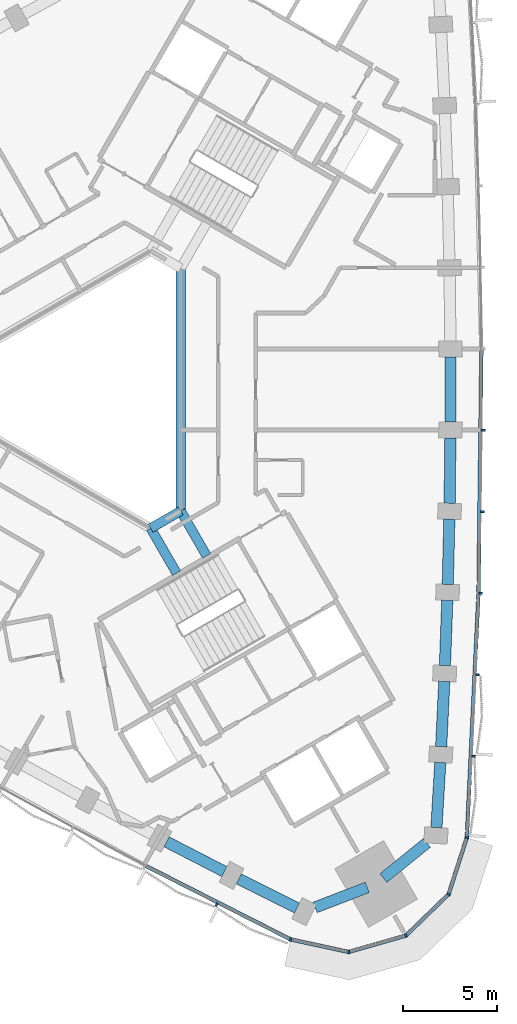
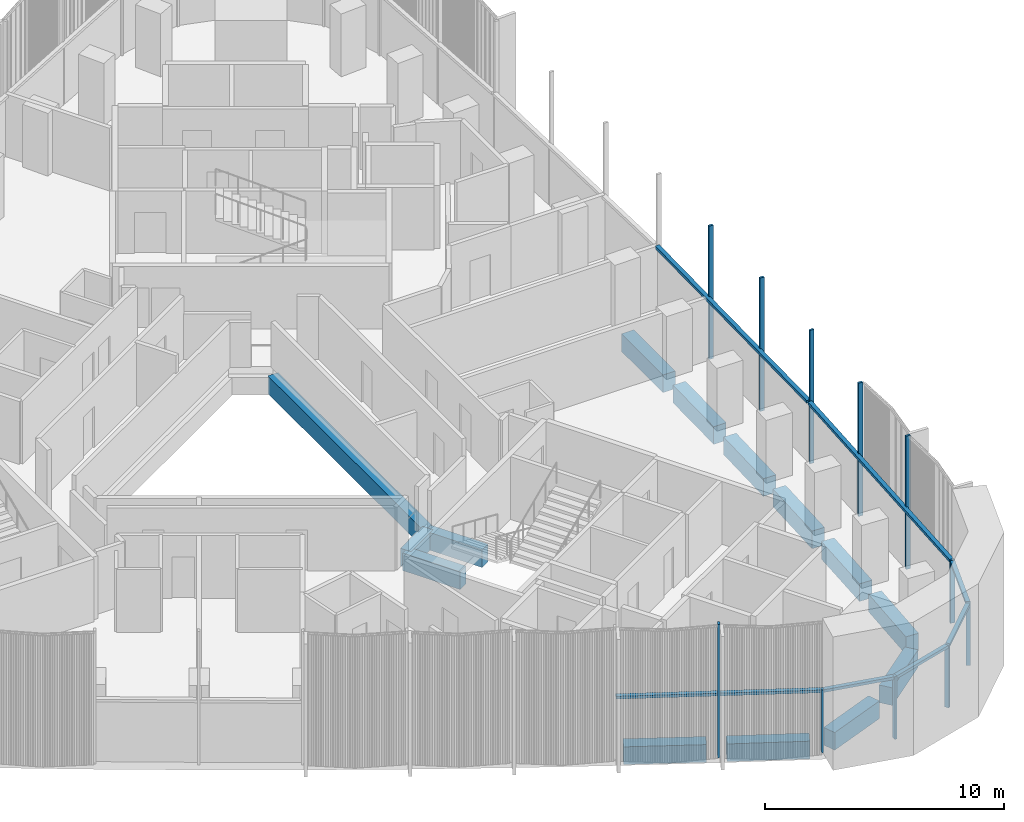
# One storey, part 3 of 15: 18 members, 14 beams, 2 elements without a shape of their own.
"""IFC4 building model written with IfcOpenShell, lengths in metres."""

from ifc_helpers import new_model, si_unit, direction, frame, origin, origin_2d, place, context, subcontext, project, spatial, rectangle, extrude, material, material_profile, profile_set, type_object, element, aggregate, save


model = new_model("IFC4")

# Units and contexts
model_context = context("Model", 3, precision=1e-05, world=origin(), true_north=direction((0.0, 1.0)))
body_context = subcontext(model_context, "Body", "Model", "MODEL_VIEW")
ifc_project = project(units=[si_unit("LENGTHUNIT", "METRE"), si_unit("AREAUNIT", "SQUARE_METRE"), si_unit("VOLUMEUNIT", "CUBIC_METRE"), si_unit("PLANEANGLEUNIT", "RADIAN"), si_unit("MASSUNIT", "GRAM", prefix="KILO")], contexts=[model_context])

# Site, building, storey
site_placement = place(None, origin())
site = spatial("IfcSite", under=ifc_project, at=site_placement, CompositionType="ELEMENT")
building_placement = place(site_placement, origin())
building = spatial("IfcBuilding", under=site, at=building_placement, Name="Tamra Quay Hotel Tower", CompositionType="ELEMENT")
storey_placement = place(building_placement, frame((0.0, 0.0, 128.800048828125)))
storey = spatial("IfcBuildingStorey", under=building, at=storey_placement, Name="L31", CompositionType="ELEMENT", Elevation=128.800048828125)

# Beams
ifc_material_1 = material(Name="Concrete M60", Category="concrete")
ifc_material_profile_1 = material_profile(ifc_material_1, rectangle(XDim=0.5, YDim=0.89990234375, at=origin_2d()), Name="ATRIUM EDGE BEAM RC 500x900")
ifc_profile_set_1 = profile_set([ifc_material_profile_1], Name="Concrete M60")
beam_type_1 = type_object("IfcBeamType", Name="ATRIUM EDGE BEAM RC 500x900", PredefinedType="BEAM", material=ifc_profile_set_1)
beam_1_placement = place(storey_placement, frame((4.800048828125, 6.46630859375, -0.85009765625), z_axis=(0.0, -1.0, 0.0), x_axis=(1.0, 0.0, 0.0)))
element("IfcBeam", 1, at=beam_1_placement, inside=storey, type_object=beam_type_1, Name="BM-AB0-L31", PredefinedType="BEAM", context=body_context, shape_type="SweptSolid", body=[
    extrude(rectangle(XDim=0.5, YDim=0.89990234375, at=origin_2d()), origin(), (0.0, 0.0, 1.0), 12.9326171875),
])
beam_2_placement = place(storey_placement, frame((4.800048828125, -6.46630859375, -0.85009765625), z_axis=(-0.86602275259, -0.500004591975, 0.0), x_axis=(0.500004591975, -0.86602275259, 0.0)))
element("IfcBeam", 2, at=beam_2_placement, inside=storey, type_object=beam_type_1, Name="BM-AB1-L31", PredefinedType="BEAM", context=body_context, shape_type="SweptSolid", body=[
    extrude(rectangle(XDim=0.5, YDim=0.89990234375, at=origin_2d()), origin(), (0.0, 0.0, 1.0), 1.84765625),
])
ifc_material_profile_2 = material_profile(ifc_material_1, rectangle(XDim=0.5, YDim=0.89990234375, at=origin_2d()), Name="ATRIUM TIE BEAM RC 500x900")
ifc_profile_set_2 = profile_set([ifc_material_profile_2], Name="Concrete M60")
beam_type_2 = type_object("IfcBeamType", Name="ATRIUM TIE BEAM RC 500x900", PredefinedType="BEAM", material=ifc_profile_set_2)
for number, where, z_axis, x_axis, name in (
    (3, (4.800048828125, -6.46630859375, -0.85009765625), (0.500008091576, -0.86602073206, 0.0), (0.86602073206, 0.500008091576, 0.0), "BM-TIE-1-L31"),
    (4, (3.199951171875, -7.39013671875, -0.85009765625), (0.500008091576, -0.86602073206, 0.0), (0.86602073206, 0.500008091576, 0.0), "BM-TIE-2-L31"),
):
    element("IfcBeam", number, at=place(storey_placement, frame(where, z_axis=z_axis, x_axis=x_axis)), inside=storey, type_object=beam_type_2, Name=name, PredefinedType="BEAM", context=body_context, shape_type="SweptSolid", body=[
        extrude(rectangle(XDim=0.5, YDim=0.89990234375, at=origin_2d()), origin(), (0.0, 0.0, 1.0), 2.76220703125),
    ])

# Curtain wall, members
ifc_material_2 = material(Name="Aluminium 6063 anodised dark grey", Category="aluminium")
curtain_wall_type_1 = type_object("IfcCurtainWallType", Name="CW1 CURTAIN WALL", PredefinedType="NOTDEFINED", material=ifc_material_2)
curtain_wall_1_placement = place(storey_placement, origin())
curtain_wall_1 = element("IfcCurtainWall", 5, at=curtain_wall_1_placement, inside=storey, type_object=curtain_wall_type_1, Name="CW1 east face L31", PredefinedType="NOTDEFINED")
ifc_material_profile_3 = material_profile(ifc_material_2, rectangle(XDim=0.199951171875, YDim=0.10009765625, at=origin_2d()), Name="MULLION 100X200")
ifc_profile_set_3 = profile_set([ifc_material_profile_3], Name="Aluminium 6063 anodised dark grey")
member_type_1 = type_object("IfcMemberType", Name="MULLION CW1 Z3", PredefinedType="MULLION", material=ifc_profile_set_3)
member_1_placement = place(storey_placement, frame((20.042236328125, -23.864990234375, 0.0), z_axis=(0.0, 0.0, 1.0), x_axis=(0.982883191402, -0.184229834881, 0.0)))
member_1 = element("IfcMember", 6, at=member_1_placement, type_object=member_type_1, Name="CW1 mullion L31.E.1", PredefinedType="MULLION", context=body_context, shape_type="SweptSolid", body=[
    extrude(rectangle(XDim=0.199951171875, YDim=0.10009765625, at=origin_2d()), origin(), (0.0, 0.0, 1.0), 3.199951171875),
])
member_2_placement = place(storey_placement, frame((20.40087890625, -19.5361328125, 0.0), z_axis=(0.0, 0.0, 1.0), x_axis=(0.998557357992, -0.053695463492, 0.0)))
member_2 = element("IfcMember", 7, at=member_2_placement, type_object=member_type_1, Name="CW1 mullion L31.E.2", PredefinedType="MULLION", context=body_context, shape_type="SweptSolid", body=[
    extrude(rectangle(XDim=0.199951171875, YDim=0.10009765625, at=origin_2d()), origin(), (0.0, 0.0, 1.0), 6.800048828125),
])
member_3_placement = place(storey_placement, frame((20.6083984375, -15.197998046875, 0.0), z_axis=(0.0, 0.0, 1.0), x_axis=(0.999126133482, -0.041796762943, 0.0)))
member_3 = element("IfcMember", 8, at=member_3_placement, type_object=member_type_1, Name="CW1 mullion L31.E.3", PredefinedType="MULLION", context=body_context, shape_type="SweptSolid", body=[
    extrude(rectangle(XDim=0.199951171875, YDim=0.10009765625, at=origin_2d()), origin(), (0.0, 0.0, 1.0), 6.800048828125),
])
member_4_placement = place(storey_placement, frame((20.763916015625, -10.857177734375, 0.0), z_axis=(0.0, 0.0, 1.0), x_axis=(0.999553759324, -0.029871093397, 0.0)))
member_4 = element("IfcMember", 9, at=member_4_placement, type_object=member_type_1, Name="CW1 mullion L31.E.4", PredefinedType="MULLION", context=body_context, shape_type="SweptSolid", body=[
    extrude(rectangle(XDim=0.199951171875, YDim=0.10009765625, at=origin_2d()), origin(), (0.0, 0.0, 1.0), 6.800048828125),
])
member_5_placement = place(storey_placement, frame((20.867919921875, -6.514404296875, 0.0), z_axis=(0.0, 0.0, 1.0), x_axis=(0.999839299777, -0.017926924493, 0.0)))
member_5 = element("IfcMember", 10, at=member_5_placement, type_object=member_type_1, Name="CW1 mullion L31.E.5", PredefinedType="MULLION", context=body_context, shape_type="SweptSolid", body=[
    extrude(rectangle(XDim=0.199951171875, YDim=0.10009765625, at=origin_2d()), origin(), (0.0, 0.0, 1.0), 6.800048828125),
])
member_6_placement = place(storey_placement, frame((20.919677734375, -2.171875, 0.0), z_axis=(0.0, 0.0, 1.0), x_axis=(0.99998212789, -0.005978620244, 0.0)))
member_6 = element("IfcMember", 11, at=member_6_placement, type_object=member_type_1, Name="CW1 mullion L31.E.6", PredefinedType="MULLION", context=body_context, shape_type="SweptSolid", body=[
    extrude(rectangle(XDim=0.199951171875, YDim=0.10009765625, at=origin_2d()), origin(), (0.0, 0.0, 1.0), 6.800048828125),
])

curtain_wall_type_2 = type_object("IfcCurtainWallType", Name="CW3 CURTAIN WALL", PredefinedType="NOTDEFINED", material=ifc_material_2)
curtain_wall_2_placement = place(storey_placement, origin())
curtain_wall_2 = element("IfcCurtainWall", 12, at=curtain_wall_2_placement, inside=storey, type_object=curtain_wall_type_2, Name="CW3 south-west face L31", PredefinedType="NOTDEFINED")
ifc_material_profile_4 = material_profile(ifc_material_2, rectangle(XDim=0.199951171875, YDim=0.10009765625, at=origin_2d()), Name="MULLION 100X200")
ifc_profile_set_4 = profile_set([ifc_material_profile_4], Name="Aluminium 6063 anodised dark grey")
member_type_2 = type_object("IfcMemberType", Name="MULLION CW3 Z3", PredefinedType="MULLION", material=ifc_profile_set_4)
member_7_placement = place(storey_placement, frame((6.71826171875, -27.435791015625, 0.0), z_axis=(0.0, 0.0, 1.0), x_axis=(-0.452777043544, -0.891623770903, 0.0)))
member_7 = element("IfcMember", 13, at=member_7_placement, type_object=member_type_2, Name="CW3 mullion L31.SW.11", PredefinedType="MULLION", context=body_context, shape_type="SweptSolid", body=[
    extrude(rectangle(XDim=0.199951171875, YDim=0.10009765625, at=origin_2d()), origin(), (0.0, 0.0, 1.0), 6.800048828125),
])
member_8_placement = place(storey_placement, frame((10.646728515625, -29.28955078125, 0.0), z_axis=(0.0, 0.0, 1.0), x_axis=(-0.331893878559, -0.943316730147, 0.0)))
member_8 = element("IfcMember", 14, at=member_8_placement, type_object=member_type_2, Name="CW3 mullion L31.SW.12", PredefinedType="MULLION", context=body_context, shape_type="SweptSolid", body=[
    extrude(rectangle(XDim=0.199951171875, YDim=0.10009765625, at=origin_2d()), origin(), (0.0, 0.0, 1.0), 3.199951171875),
])
member_9_placement = place(storey_placement, frame((13.74560546875, -29.958740234375, 0.0), z_axis=(0.0, 0.0, 1.0), x_axis=(0.032727311619, -0.99946431806, 0.0)))
member_9 = element("IfcMember", 15, at=member_9_placement, type_object=member_type_2, Name="CW3 mullion L31.SW.13", PredefinedType="MULLION", context=body_context, shape_type="SweptSolid", body=[
    extrude(rectangle(XDim=0.199951171875, YDim=0.10009765625, at=origin_2d()), origin(), (0.0, 0.0, 1.0), 3.199951171875),
])
member_10_placement = place(storey_placement, frame((16.794189453125, -29.088134765625, 0.0), z_axis=(0.0, 0.0, 1.0), x_axis=(0.5, -0.866025403784, 0.0)))
member_10 = element("IfcMember", 16, at=member_10_placement, type_object=member_type_2, Name="CW3 mullion L31.SW.14", PredefinedType="MULLION", context=body_context, shape_type="SweptSolid", body=[
    extrude(rectangle(XDim=0.199951171875, YDim=0.10009765625, at=origin_2d()), origin(), (0.0, 0.0, 1.0), 3.199951171875),
])
member_11_placement = place(storey_placement, frame((19.072265625, -26.883544921875, 0.0), z_axis=(0.0, 0.0, 1.0), x_axis=(0.849197833806, -0.52807484229, 0.0)))
member_11 = element("IfcMember", 17, at=member_11_placement, type_object=member_type_2, Name="CW3 mullion L31.SW.15", PredefinedType="MULLION", context=body_context, shape_type="SweptSolid", body=[
    extrude(rectangle(XDim=0.199951171875, YDim=0.10009765625, at=origin_2d()), origin(), (0.0, 0.0, 1.0), 3.199951171875),
])

# Beams
ifc_material_profile_5 = material_profile(ifc_material_1, rectangle(XDim=0.60009765625, YDim=0.89990234375, at=origin_2d()), Name="SPANDREL BEAM RC 600x900")
ifc_profile_set_5 = profile_set([ifc_material_profile_5], Name="Concrete M60")
beam_type_3 = type_object("IfcBeamType", Name="SPANDREL BEAM RC 600x900", PredefinedType="SPANDREL", material=ifc_profile_set_5)
beam_3_placement = place(storey_placement, frame((18.422119140625, -23.3330078125, -0.85009765625), z_axis=(0.059620475238, 0.998221117254, 0.0), x_axis=(-0.998221117254, 0.059620475238, 0.0)))
element("IfcBeam", 18, at=beam_3_placement, inside=storey, type_object=beam_type_3, Name="BM-SP3-000-L31", PredefinedType="SPANDREL", context=body_context, shape_type="SweptSolid", body=[
    extrude(rectangle(XDim=0.60009765625, YDim=0.89990234375, at=origin_2d()), origin(), (0.0, 0.0, 1.0), 3.472412109375),
])
beam_4_placement = place(storey_placement, frame((18.6748046875, -19.017822265625, -0.85009765625), z_axis=(0.047732145575, 0.998860171535, 0.0), x_axis=(-0.998860171535, 0.047732145575, 0.0)))
element("IfcBeam", 19, at=beam_4_placement, inside=storey, type_object=beam_type_3, Name="BM-SP3-001-L31", PredefinedType="SPANDREL", context=body_context, shape_type="SweptSolid", body=[
    extrude(rectangle(XDim=0.60009765625, YDim=0.89990234375, at=origin_2d()), origin(), (0.0, 0.0, 1.0), 3.472900390625),
])
beam_5_placement = place(storey_placement, frame((18.876220703125, -14.69970703125, -0.85009765625), z_axis=(0.035786826945, 0.999359446354, 0.0), x_axis=(-0.999359446354, 0.035786826945, 0.0)))
element("IfcBeam", 20, at=beam_5_placement, inside=storey, type_object=beam_type_3, Name="BM-SP3-002-L31", PredefinedType="SPANDREL", context=body_context, shape_type="SweptSolid", body=[
    extrude(rectangle(XDim=0.60009765625, YDim=0.89990234375, at=origin_2d()), origin(), (0.0, 0.0, 1.0), 3.472412109375),
])
beam_6_placement = place(storey_placement, frame((19.02587890625, -10.3798828125, -0.85009765625), z_axis=(0.023906514803, 0.999714198434, 0.0), x_axis=(-0.999714198434, 0.023906514803, 0.0)))
element("IfcBeam", 21, at=beam_6_placement, inside=storey, type_object=beam_type_3, Name="BM-SP3-003-L31", PredefinedType="SPANDREL", context=body_context, shape_type="SweptSolid", body=[
    extrude(rectangle(XDim=0.60009765625, YDim=0.89990234375, at=origin_2d()), origin(), (0.0, 0.0, 1.0), 3.47216796875),
])
beam_7_placement = place(storey_placement, frame((19.124267578125, -6.05859375, -0.85009765625), z_axis=(0.011951617666, 0.999928576867, 0.0), x_axis=(-0.999928576867, 0.011951617666, 0.0)))
element("IfcBeam", 22, at=beam_7_placement, inside=storey, type_object=beam_type_3, Name="BM-SP3-004-L31", PredefinedType="SPANDREL", context=body_context, shape_type="SweptSolid", body=[
    extrude(rectangle(XDim=0.60009765625, YDim=0.89990234375, at=origin_2d()), origin(), (0.0, 0.0, 1.0), 3.47265625),
])
beam_8_placement = place(storey_placement, frame((19.1708984375, -1.736083984375, -0.85009765625), z_axis=(0.0, 1.0, 0.0), x_axis=(-1.0, 0.0, 0.0)))
element("IfcBeam", 23, at=beam_8_placement, inside=storey, type_object=beam_type_3, Name="BM-SP3-005-L31", PredefinedType="SPANDREL", context=body_context, shape_type="SweptSolid", body=[
    extrude(rectangle(XDim=0.60009765625, YDim=0.89990234375, at=origin_2d()), origin(), (0.0, 0.0, 1.0), 3.47216796875),
])
beam_9_placement = place(storey_placement, frame((4.04541015625, -24.0908203125, -0.85009765625), z_axis=(0.888919913451, -0.458062645792, 0.0), x_axis=(0.458062645792, 0.888919913451, 0.0)))
element("IfcBeam", 24, at=beam_9_placement, inside=storey, type_object=beam_type_3, Name="BM-SP3-035-L31", PredefinedType="SPANDREL", context=body_context, shape_type="SweptSolid", body=[
    extrude(rectangle(XDim=0.60009765625, YDim=0.89990234375, at=origin_2d()), origin(), (0.0, 0.0, 1.0), 3.472900390625),
])
beam_10_placement = place(storey_placement, frame((7.890380859375, -26.066650390625, -0.85009765625), z_axis=(0.894314670292, -0.447438566174, 0.0), x_axis=(0.447438566174, 0.894314670292, 0.0)))
element("IfcBeam", 25, at=beam_10_placement, inside=storey, type_object=beam_type_3, Name="BM-SP3-036-L31", PredefinedType="SPANDREL", context=body_context, shape_type="SweptSolid", body=[
    extrude(rectangle(XDim=0.60009765625, YDim=0.89990234375, at=origin_2d()), origin(), (0.0, 0.0, 1.0), 3.472412109375),
])
beam_11_placement = place(storey_placement, frame((11.960693359375, -27.586181640625, -0.85009765625), z_axis=(0.933527198951, 0.358506581278, 0.0), x_axis=(-0.358506581278, 0.933527198951, 0.0)))
element("IfcBeam", 26, at=beam_11_placement, inside=storey, type_object=beam_type_3, Name="BM-SP3-037-L31", PredefinedType="SPANDREL", context=body_context, shape_type="SweptSolid", body=[
    extrude(rectangle(XDim=0.60009765625, YDim=0.89990234375, at=origin_2d()), origin(), (0.0, 0.0, 1.0), 2.97802734375),
])
beam_12_placement = place(storey_placement, frame((15.595703125, -26.02490234375, -0.85009765625), z_axis=(0.777183767602, 0.629273701482, 0.0), x_axis=(-0.629273701482, 0.777183767602, 0.0)))
element("IfcBeam", 27, at=beam_12_placement, inside=storey, type_object=beam_type_3, Name="BM-SP3-038-L31", PredefinedType="SPANDREL", context=body_context, shape_type="SweptSolid", body=[
    extrude(rectangle(XDim=0.60009765625, YDim=0.89990234375, at=origin_2d()), origin(), (0.0, 0.0, 1.0), 2.977783203125),
])

# Member
ifc_material_profile_6 = material_profile(ifc_material_2, rectangle(XDim=0.199951171875, YDim=0.139892578125, at=origin_2d()), Name="TRANSOM 200X140")
ifc_profile_set_6 = profile_set([ifc_material_profile_6], Name="Aluminium 6063 anodised dark grey")
member_type_3 = type_object("IfcMemberType", Name="TRANSOM CW1 Z3", PredefinedType="USERDEFINED", material=ifc_profile_set_6)
member_12_placement = place(storey_placement, frame((20.045166015625, -23.815185546875, 3.1298828125), z_axis=(0.047748214434, 0.998859403529, 0.0), x_axis=(-0.998859403529, 0.047748214434, 0.0)))
member_12 = element("IfcMember", 28, at=member_12_placement, type_object=member_type_3, Name="CW1 transom L31.E.1", ObjectType="TRANSOM", PredefinedType="USERDEFINED", context=body_context, shape_type="SweptSolid", body=[
    extrude(rectangle(XDim=0.199951171875, YDim=0.139892578125, at=origin_2d()), origin(), (0.0, 0.0, 1.0), 12.92578125),
])

member_13_placement = place(storey_placement, frame((20.665283203125, -10.80419921875, 3.1298828125), z_axis=(0.011955400346, 0.999928531647, 0.0), x_axis=(-0.999928531647, 0.011955400346, 0.0)))
member_13 = element("IfcMember", 29, at=member_13_placement, type_object=member_type_3, Name="CW1 transom L31.E.4", ObjectType="TRANSOM", PredefinedType="USERDEFINED", context=body_context, shape_type="SweptSolid", body=[
    extrude(rectangle(XDim=0.199951171875, YDim=0.139892578125, at=origin_2d()), origin(), (0.0, 0.0, 1.0), 12.926513671875),
])

aggregate(curtain_wall_1, [member_1, member_12, member_2, member_3, member_4, member_13, member_5, member_6])

ifc_material_profile_7 = material_profile(ifc_material_2, rectangle(XDim=0.199951171875, YDim=0.139892578125, at=origin_2d()), Name="TRANSOM 200X140")
ifc_profile_set_7 = profile_set([ifc_material_profile_7], Name="Aluminium 6063 anodised dark grey")
member_type_4 = type_object("IfcMemberType", Name="TRANSOM CW3 Z3", PredefinedType="USERDEFINED", material=ifc_profile_set_7)
member_14_placement = place(storey_placement, frame((2.948486328125, -25.380615234375, 3.1298828125), z_axis=(0.891628261752, -0.452768199905, 0.0), x_axis=(0.452768199905, 0.891628261752, 0.0)))
member_14 = element("IfcMember", 30, at=member_14_placement, type_object=member_type_4, Name="CW3 transom L31.SW.10", ObjectType="TRANSOM", PredefinedType="USERDEFINED", context=body_context, shape_type="SweptSolid", body=[
    extrude(rectangle(XDim=0.199951171875, YDim=0.139892578125, at=origin_2d()), origin(), (0.0, 0.0, 1.0), 8.583740234375),
])

member_15_placement = place(storey_placement, frame((10.695556640625, -29.300048828125, 3.1298828125), z_axis=(0.977462525021, -0.211109005445, 0.0), x_axis=(0.211109005445, 0.977462525021, 0.0)))
member_15 = element("IfcMember", 31, at=member_15_placement, type_object=member_type_4, Name="CW3 transom L31.SW.12", ObjectType="TRANSOM", PredefinedType="USERDEFINED", context=body_context, shape_type="SweptSolid", body=[
    extrude(rectangle(XDim=0.199951171875, YDim=0.139892578125, at=origin_2d()), origin(), (0.0, 0.0, 1.0), 3.0703125),
])

member_16_placement = place(storey_placement, frame((13.793701171875, -29.945068359375, 3.1298828125), z_axis=(0.961568942949, 0.274563595469, 0.0), x_axis=(-0.274563595469, 0.961568942949, 0.0)))
member_16 = element("IfcMember", 32, at=member_16_placement, type_object=member_type_4, Name="CW3 transom L31.SW.13", ObjectType="TRANSOM", PredefinedType="USERDEFINED", context=body_context, shape_type="SweptSolid", body=[
    extrude(rectangle(XDim=0.199951171875, YDim=0.139892578125, at=origin_2d()), origin(), (0.0, 0.0, 1.0), 3.0703125),
])

member_17_placement = place(storey_placement, frame((16.830078125, -29.053466796875, 3.1298828125), z_axis=(0.71858163235, 0.695442619955, 0.0), x_axis=(-0.695442619955, 0.71858163235, 0.0)))
member_17 = element("IfcMember", 33, at=member_17_placement, type_object=member_type_4, Name="CW3 transom L31.SW.14", ObjectType="TRANSOM", PredefinedType="USERDEFINED", context=body_context, shape_type="SweptSolid", body=[
    extrude(rectangle(XDim=0.199951171875, YDim=0.139892578125, at=origin_2d()), origin(), (0.0, 0.0, 1.0), 3.0703125),
])

member_18_placement = place(storey_placement, frame((19.087646484375, -26.8359375, 3.1298828125), z_axis=(0.30588048859, 0.952069916918, 0.0), x_axis=(-0.952069916918, 0.30588048859, 0.0)))
member_18 = element("IfcMember", 34, at=member_18_placement, type_object=member_type_4, Name="CW3 transom L31.SW.15", ObjectType="TRANSOM", PredefinedType="USERDEFINED", context=body_context, shape_type="SweptSolid", body=[
    extrude(rectangle(XDim=0.199951171875, YDim=0.139892578125, at=origin_2d()), origin(), (0.0, 0.0, 1.0), 3.070556640625),
])

aggregate(curtain_wall_2, [member_14, member_7, member_8, member_15, member_9, member_16, member_10, member_17, member_11, member_18])

save(model, "model.ifc")
